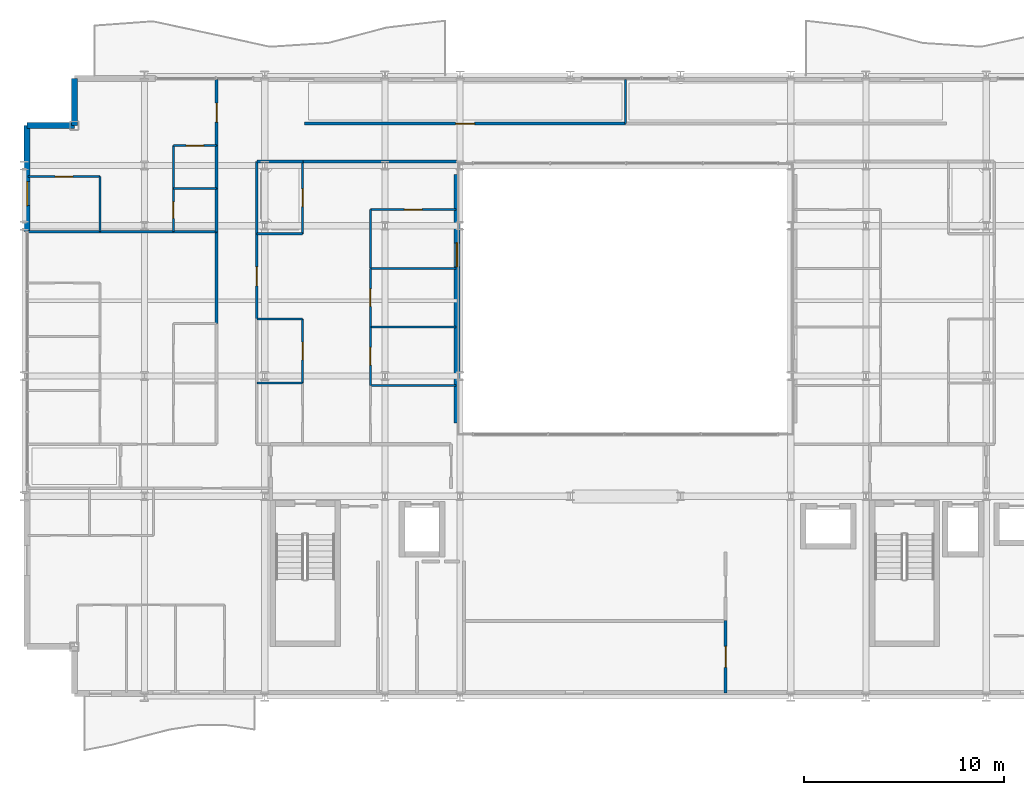
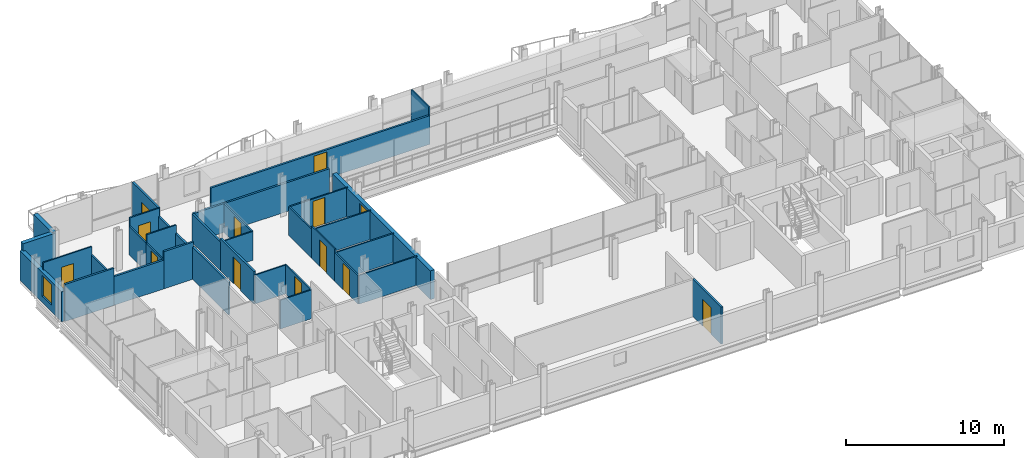
# One storey, part 33 of 41: 36 walls, 12 doors, 2 windows, 14 openings.
"""IFC4 building model written with IfcOpenShell, lengths in metres."""

from ifc_helpers import new_model, si_unit, direction, frame, frame_2d, origin, place, context, subcontext, project, spatial, rectangle, extrude, material, layer, layer_set, type_object, element, fill, save


model = new_model("IFC4")

# Units and contexts
model_context = context("Model", 3, precision=1e-05, world=origin(), true_north=direction((0.0, 1.0)))
body_context = subcontext(model_context, "Body", "Model", "MODEL_VIEW")
ifc_project = project(units=[si_unit("LENGTHUNIT", "METRE"), si_unit("AREAUNIT", "SQUARE_METRE"), si_unit("VOLUMEUNIT", "CUBIC_METRE"), si_unit("PLANEANGLEUNIT", "RADIAN"), si_unit("MASSUNIT", "GRAM", prefix="KILO")], contexts=[model_context])

# Site, building, storey
site_placement = place(None, origin())
site = spatial("IfcSite", under=ifc_project, at=site_placement, CompositionType="ELEMENT")
building_placement = place(site_placement, origin())
building = spatial("IfcBuilding", under=site, at=building_placement, Name="Brevholm Reach", CompositionType="ELEMENT")
storey_placement = place(building_placement, frame((0.0, 0.0, 74.5)))
storey = spatial("IfcBuildingStorey", under=building, at=storey_placement, Name="L21", CompositionType="ELEMENT", Elevation=74.5)

# Walls
ifc_material_1 = material(Name="Concrete C40/50", Category="concrete")
ifc_layer_1 = layer(ifc_material_1, 0.300048828125)
ifc_layer_set_1 = layer_set([ifc_layer_1], Name="Concrete C40/50")
wall_type_1 = type_object("IfcWallType", Name="WAL-EXT-300", PredefinedType="STANDARD", material=ifc_layer_set_1)
for number, where, z_axis, x_axis, name in (
    (1, (2.5, 30.85009765625, 0.0), (0.0, 0.0, 1.0), (0.0, -1.0, 0.0), "L21 Facade Wall WAL-L21-CNW1"),
    (2, (2.5, 28.5, 0.0), (0.0, 0.0, 1.0), (-1.0, 0.0, 0.0), "L21 Facade Wall WAL-L21-CNW2"),
):
    element("IfcWall", number, at=place(storey_placement, frame(where, z_axis=z_axis, x_axis=x_axis)), inside=storey, type_object=wall_type_1, Name=name, PredefinedType="STANDARD", context=body_context, shape_type="SweptSolid", body=[
        extrude(rectangle(XDim=2.35009765625, YDim=0.300048828125, at=frame_2d((1.175048828125, 0.0))), origin(), (0.0, 0.0, 1.0), 2.8701171875),
    ])

# Wall, opening, window
wall_1_placement = place(storey_placement, frame((0.14990234375, 28.5, 0.0), z_axis=(0.0, 0.0, 1.0), x_axis=(0.0, -1.0, 0.0)))
wall_1 = element("IfcWall", 3, at=wall_1_placement, inside=storey, type_object=wall_type_1, Name="L21 Facade Wall WAL-L21-W-N", PredefinedType="STANDARD", context=body_context, shape_type="SweptSolid", body=[
    extrude(rectangle(XDim=5.280029296875, YDim=0.300048828125, at=frame_2d((2.64013671875, 0.0))), origin(), (0.0, 0.0, 1.0), 2.305419921875),
])
opening_1_placement = place(wall_1_placement, frame((2.800048828125, 0.0, 0.485107421875)))
opening_1 = element("IfcOpeningElement", 4, at=opening_1_placement, cuts=wall_1, Name="Opening WN-08", PredefinedType="OPENING", context=body_context, shape_type="SweptSolid", body=[
    extrude(rectangle(XDim=1.199951171875, YDim=1.60009765625, at=frame_2d((0.60009765625, 0.800048828125))), frame((0.0, 0.159912109375, 0.0), z_axis=(0.0, -1.0, 0.0), x_axis=(1.0, 0.0, 0.0)), (0.0, 0.0, 1.0), 0.320068359375),
])
ifc_material_2 = material(Name="Dark Anodised Aluminium and Solar-Control IGU Glass", Category="aluminium")
window_type = type_object("IfcWindowType", Name="WIN-RES-1200", PartitioningType="SINGLE_PANEL", PredefinedType="WINDOW", material=ifc_material_2)
window_1_placement = place(opening_1_placement, origin())
window_1 = element("IfcWindow", 5, at=window_1_placement, inside=storey, type_object=window_type, Name="L21 Window WIN-L21-WN-1", OverallHeight=1.60009765625, OverallWidth=1.199951171875, PartitioningType="SINGLE_PANEL", PredefinedType="WINDOW", context=body_context, shape_type="SweptSolid", body=[
    extrude(rectangle(XDim=1.199951171875, YDim=1.60009765625, at=frame_2d((0.60009765625, 0.800048828125))), frame((0.0, 0.030029296875, 0.0), z_axis=(0.0, -1.0, 0.0), x_axis=(1.0, 0.0, 0.0)), (0.0, 0.0, 1.0), 0.06005859375),
])
fill(opening_1, window_1)

wall_2_placement = place(storey_placement, frame((21.60009765625, 26.050048828125, 0.0), z_axis=(0.0, 0.0, 1.0), x_axis=(0.0, -1.0, 0.0)))
wall_2 = element("IfcWall", 6, at=wall_2_placement, inside=storey, type_object=wall_type_1, Name="L21 Facade Wall WAL-L21-AT-W", PredefinedType="STANDARD", context=body_context, shape_type="SweptSolid", body=[
    extrude(rectangle(XDim=12.400146484375, YDim=0.300048828125, at=frame_2d((6.2001953125, 0.0))), origin(), (0.0, 0.0, 1.0), 2.224853515625),
])
opening_2_placement = place(wall_2_placement, frame((3.39990234375, 0.0, 0.405029296875)))
opening_2 = element("IfcOpeningElement", 7, at=opening_2_placement, cuts=wall_2, Name="Opening WN-08", PredefinedType="OPENING", context=body_context, shape_type="SweptSolid", body=[
    extrude(rectangle(XDim=1.199951171875, YDim=1.60009765625, at=frame_2d((0.60009765625, 0.800048828125))), frame((0.0, 0.159912109375, 0.0), z_axis=(0.0, -1.0, 0.0), x_axis=(1.0, 0.0, 0.0)), (0.0, 0.0, 1.0), 0.320068359375),
])
window_2_placement = place(opening_2_placement, origin())
window_2 = element("IfcWindow", 8, at=window_2_placement, inside=storey, type_object=window_type, Name="L21 Window WIN-L21-AT-W1", OverallHeight=1.60009765625, OverallWidth=1.199951171875, PartitioningType="SINGLE_PANEL", PredefinedType="WINDOW", context=body_context, shape_type="SweptSolid", body=[
    extrude(rectangle(XDim=1.199951171875, YDim=1.60009765625, at=frame_2d((0.60009765625, 0.800048828125))), frame((0.0, 0.030029296875, 0.0), z_axis=(0.0, -1.0, 0.0), x_axis=(1.0, 0.0, 0.0)), (0.0, 0.0, 1.0), 0.06005859375),
])
fill(opening_2, window_2)

# Wall
ifc_material_3 = material(Name="Moisture-Resistant Acoustic Gypsum Stud Partition 100 mm", Category="gypsum")
ifc_layer_2 = layer(ifc_material_3, 0.10009765625)
ifc_layer_set_2 = layer_set([ifc_layer_2], Name="Moisture-Resistant Acoustic Gypsum Stud Partition 100 mm")
wall_type_2 = type_object("IfcWallType", Name="WAL-PRT-100", PredefinedType="PARTITIONING", material=ifc_layer_set_2)
wall_3_placement = place(storey_placement, frame((7.43798828125, 25.35009765625, 0.0), z_axis=(0.0, 0.0, 1.0), x_axis=(1.0, 0.0, 0.0)))
element("IfcWall", 9, at=wall_3_placement, inside=storey, type_object=wall_type_2, Name="L21 Internal Partition 100", PredefinedType="PARTITIONING", context=body_context, shape_type="SweptSolid", body=[
    extrude(rectangle(XDim=2.157958984375, YDim=0.10009765625, at=frame_2d((1.0791015625, 0.0))), origin(), (0.0, 0.0, 1.0), 2.8701171875),
])

# Wall, opening, door
wall_4_placement = place(storey_placement, frame((7.43798828125, 23.2041015625, 0.0), z_axis=(0.0, 0.0, 1.0), x_axis=(0.0, 1.0, 0.0)))
wall_4 = element("IfcWall", 10, at=wall_4_placement, inside=storey, type_object=wall_type_2, Name="L21 Internal Partition 101", PredefinedType="PARTITIONING", context=body_context, shape_type="SweptSolid", body=[
    extrude(rectangle(XDim=2.14599609375, YDim=0.10009765625, at=frame_2d((1.072998046875, 0.0))), origin(), (0.0, 0.0, 1.0), 2.224853515625),
])
opening_3_placement = place(wall_4_placement, frame((0.6630859375, 0.0, 0.0)))
opening_3 = element("IfcOpeningElement", 11, at=opening_3_placement, cuts=wall_4, Name="Opening ID-03", PredefinedType="OPENING", context=body_context, shape_type="SweptSolid", body=[
    extrude(rectangle(XDim=0.820068359375, YDim=2.02001953125, at=frame_2d((0.41015625, 1.010009765625))), frame((0.0, 0.06005859375, 0.0), z_axis=(0.0, -1.0, 0.0), x_axis=(1.0, 0.0, 0.0)), (0.0, 0.0, 1.0), 0.1201171875),
])
ifc_material_4 = material(Name="Moisture-Resistant Painted Timber Internal Bathroom Door", Category="wood")
door_type_1 = type_object("IfcDoorType", Name="DOR-BATH-820", OperationType="NOTDEFINED", PredefinedType="DOOR", material=ifc_material_4)
door_1_placement = place(opening_3_placement, origin())
door_1 = element("IfcDoor", 12, at=door_1_placement, inside=storey, type_object=door_type_1, Name="L21 Internal Door 035", OperationType="SINGLE_SWING_LEFT", OverallHeight=2.02001953125, OverallWidth=0.820068359375, PredefinedType="DOOR", context=body_context, shape_type="SweptSolid", body=[
    extrude(rectangle(XDim=0.820068359375, YDim=2.02001953125, at=frame_2d((0.41015625, 1.010009765625))), frame((0.0, 0.02490234375, 0.0), z_axis=(0.0, -1.0, 0.0), x_axis=(1.0, 0.0, 0.0)), (0.0, 0.0, 1.0), 0.050048828125),
])
fill(opening_3, door_1)

wall_5_placement = place(storey_placement, frame((7.43798828125, 27.5, 0.0), z_axis=(0.0, 0.0, 1.0), x_axis=(1.0, 0.0, 0.0)))
wall_5 = element("IfcWall", 13, at=wall_5_placement, inside=storey, type_object=wall_type_2, Name="L21 Internal Partition 102", PredefinedType="PARTITIONING", context=body_context, shape_type="SweptSolid", body=[
    extrude(rectangle(XDim=2.157958984375, YDim=0.10009765625, at=frame_2d((1.0791015625, 0.0))), origin(), (0.0, 0.0, 1.0), 2.8701171875),
])
opening_4_placement = place(wall_5_placement, frame((0.638916015625, 0.0, 0.0)))
opening_4 = element("IfcOpeningElement", 14, at=opening_4_placement, cuts=wall_5, Name="Opening ID-01", PredefinedType="OPENING", context=body_context, shape_type="SweptSolid", body=[
    extrude(rectangle(XDim=0.8798828125, YDim=2.0400390625, at=frame_2d((0.43994140625, 1.02001953125))), frame((0.0, 0.06005859375, 0.0), z_axis=(0.0, -1.0, 0.0), x_axis=(1.0, 0.0, 0.0)), (0.0, 0.0, 1.0), 0.1201171875),
])
ifc_material_5 = material(Name="Lacquered Ash Solid-Core Acoustic Internal Door", Category="timber")
door_type_2 = type_object("IfcDoorType", Name="DOR-INT-880", OperationType="NOTDEFINED", PredefinedType="DOOR", material=ifc_material_5)
door_2_placement = place(opening_4_placement, origin())
door_2 = element("IfcDoor", 15, at=door_2_placement, inside=storey, type_object=door_type_2, Name="L21 Internal Door 036", OperationType="SINGLE_SWING_RIGHT", OverallHeight=2.0400390625, OverallWidth=0.8798828125, PredefinedType="DOOR", context=body_context, shape_type="SweptSolid", body=[
    extrude(rectangle(XDim=0.8798828125, YDim=2.0400390625, at=frame_2d((0.43994140625, 1.02001953125))), frame((0.0, 0.02490234375, 0.0), z_axis=(0.0, -1.0, 0.0), x_axis=(1.0, 0.0, 0.0)), (0.0, 0.0, 1.0), 0.050048828125),
])
fill(opening_4, door_2)

# Walls
wall_6_placement = place(storey_placement, frame((7.43798828125, 25.35400390625, 0.0), z_axis=(0.0, 0.0, 1.0), x_axis=(0.0, 1.0, 0.0)))
element("IfcWall", 16, at=wall_6_placement, inside=storey, type_object=wall_type_2, Name="L21 Internal Partition 103", PredefinedType="PARTITIONING", context=body_context, shape_type="SweptSolid", body=[
    extrude(rectangle(XDim=2.14599609375, YDim=0.10009765625, at=frame_2d((1.072998046875, 0.0))), origin(), (0.0, 0.0, 1.0), 2.224853515625),
])
wall_7_placement = place(storey_placement, frame((3.77197265625, 23.2041015625, 0.0), z_axis=(0.0, 0.0, 1.0), x_axis=(0.0, 1.0, 0.0)))
element("IfcWall", 17, at=wall_7_placement, inside=storey, type_object=wall_type_2, Name="L21 Internal Partition 104", PredefinedType="PARTITIONING", context=body_context, shape_type="SweptSolid", body=[
    extrude(rectangle(XDim=2.745849609375, YDim=0.10009765625, at=frame_2d((1.373046875, 0.0))), origin(), (0.0, 0.0, 1.0), 2.224853515625),
])

# Wall, opening, door
wall_8_placement = place(storey_placement, frame((0.199951171875, 25.949951171875, 0.0), z_axis=(0.0, 0.0, 1.0), x_axis=(1.0, 0.0, 0.0)))
wall_8 = element("IfcWall", 18, at=wall_8_placement, inside=storey, type_object=wall_type_2, Name="L21 Internal Partition 105", PredefinedType="PARTITIONING", context=body_context, shape_type="SweptSolid", body=[
    extrude(rectangle(XDim=3.572021484375, YDim=0.10009765625, at=frame_2d((1.7861328125, 0.0))), origin(), (0.0, 0.0, 1.0), 2.8701171875),
])
opening_5_placement = place(wall_8_placement, frame((1.345947265625, 0.0, 0.0)))
opening_5 = element("IfcOpeningElement", 19, at=opening_5_placement, cuts=wall_8, Name="Opening ID-01", PredefinedType="OPENING", context=body_context, shape_type="SweptSolid", body=[
    extrude(rectangle(XDim=0.8798828125, YDim=2.0400390625, at=frame_2d((0.43994140625, 1.02001953125))), frame((0.0, 0.06005859375, 0.0), z_axis=(0.0, -1.0, 0.0), x_axis=(1.0, 0.0, 0.0)), (0.0, 0.0, 1.0), 0.1201171875),
])
door_3_placement = place(opening_5_placement, origin())
door_3 = element("IfcDoor", 20, at=door_3_placement, inside=storey, type_object=door_type_2, Name="L21 Internal Door 037", OperationType="SINGLE_SWING_LEFT", OverallHeight=2.0400390625, OverallWidth=0.8798828125, PredefinedType="DOOR", context=body_context, shape_type="SweptSolid", body=[
    extrude(rectangle(XDim=0.8798828125, YDim=2.0400390625, at=frame_2d((0.43994140625, 1.02001953125))), frame((0.0, 0.02490234375, 0.0), z_axis=(0.0, -1.0, 0.0), x_axis=(1.0, 0.0, 0.0)), (0.0, 0.0, 1.0), 0.050048828125),
])
fill(opening_5, door_3)

# Wall
wall_9_placement = place(storey_placement, frame((11.60400390625, 15.64990234375, 0.0), z_axis=(0.0, 0.0, 1.0), x_axis=(1.0, 0.0, 0.0)))
element("IfcWall", 21, at=wall_9_placement, inside=storey, type_object=wall_type_2, Name="L21 Internal Partition 106", PredefinedType="PARTITIONING", context=body_context, shape_type="SweptSolid", body=[
    extrude(rectangle(XDim=2.284912109375, YDim=0.10009765625, at=frame_2d((1.142578125, 0.0))), origin(), (0.0, 0.0, 1.0), 2.224853515625),
])

# Wall, opening, door
wall_10_placement = place(storey_placement, frame((13.888916015625, 15.654052734375, 0.0), z_axis=(0.0, 0.0, 1.0), x_axis=(0.0, 1.0, 0.0)))
wall_10 = element("IfcWall", 22, at=wall_10_placement, inside=storey, type_object=wall_type_2, Name="L21 Internal Partition 108", PredefinedType="PARTITIONING", context=body_context, shape_type="SweptSolid", body=[
    extrude(rectangle(XDim=3.196044921875, YDim=0.10009765625, at=frame_2d((1.59814453125, 0.0))), origin(), (0.0, 0.0, 1.0), 2.224853515625),
])
opening_6_placement = place(wall_10_placement, frame((1.157958984375, 0.0, 0.0)))
opening_6 = element("IfcOpeningElement", 23, at=opening_6_placement, cuts=wall_10, Name="Opening ID-01", PredefinedType="OPENING", context=body_context, shape_type="SweptSolid", body=[
    extrude(rectangle(XDim=0.8798828125, YDim=2.0400390625, at=frame_2d((0.43994140625, 1.02001953125))), frame((0.0, 0.06005859375, 0.0), z_axis=(0.0, -1.0, 0.0), x_axis=(1.0, 0.0, 0.0)), (0.0, 0.0, 1.0), 0.1201171875),
])
door_4_placement = place(opening_6_placement, origin())
door_4 = element("IfcDoor", 24, at=door_4_placement, inside=storey, type_object=door_type_2, Name="L21 Internal Door 039", OperationType="SINGLE_SWING_LEFT", OverallHeight=2.0400390625, OverallWidth=0.8798828125, PredefinedType="DOOR", context=body_context, shape_type="SweptSolid", body=[
    extrude(rectangle(XDim=0.8798828125, YDim=2.0400390625, at=frame_2d((0.43994140625, 1.02001953125))), frame((0.0, 0.02490234375, 0.0), z_axis=(0.0, -1.0, 0.0), x_axis=(1.0, 0.0, 0.0)), (0.0, 0.0, 1.0), 0.050048828125),
])
fill(opening_6, door_4)

# Walls
for number, where, z_axis, x_axis, name in (
    (25, (11.60400390625, 18.85009765625, 0.0), (0.0, 0.0, 1.0), (1.0, 0.0, 0.0), "L21 Internal Partition 109"),
    (26, (11.60400390625, 23.10009765625, 0.0), (0.0, 0.0, 1.0), (1.0, 0.0, 0.0), "L21 Internal Partition 110"),
):
    element("IfcWall", number, at=place(storey_placement, frame(where, z_axis=z_axis, x_axis=x_axis)), inside=storey, type_object=wall_type_2, Name=name, PredefinedType="PARTITIONING", context=body_context, shape_type="SweptSolid", body=[
        extrude(rectangle(XDim=2.284912109375, YDim=0.10009765625, at=frame_2d((1.142578125, 0.0))), origin(), (0.0, 0.0, 1.0), 2.224853515625),
    ])

# Wall, opening, door
wall_11_placement = place(storey_placement, frame((13.888916015625, 23.10009765625, 0.0), z_axis=(0.0, 0.0, 1.0), x_axis=(0.0, 1.0, 0.0)))
wall_11 = element("IfcWall", 27, at=wall_11_placement, inside=storey, type_object=wall_type_2, Name="L21 Internal Partition 111", PredefinedType="PARTITIONING", context=body_context, shape_type="SweptSolid", body=[
    extrude(rectangle(XDim=3.595947265625, YDim=0.10009765625, at=frame_2d((1.7978515625, 0.0))), origin(), (0.0, 0.0, 1.0), 2.224853515625),
])
opening_7_placement = place(wall_11_placement, frame((1.35791015625, 0.0, 0.0)))
opening_7 = element("IfcOpeningElement", 28, at=opening_7_placement, cuts=wall_11, Name="Opening ID-01", PredefinedType="OPENING", context=body_context, shape_type="SweptSolid", body=[
    extrude(rectangle(XDim=0.8798828125, YDim=2.0400390625, at=frame_2d((0.43994140625, 1.02001953125))), frame((0.0, 0.06005859375, 0.0), z_axis=(0.0, -1.0, 0.0), x_axis=(1.0, 0.0, 0.0)), (0.0, 0.0, 1.0), 0.1201171875),
])
door_5_placement = place(opening_7_placement, origin())
door_5 = element("IfcDoor", 29, at=door_5_placement, inside=storey, type_object=door_type_2, Name="L21 Internal Door 040", OperationType="SINGLE_SWING_RIGHT", OverallHeight=2.0400390625, OverallWidth=0.8798828125, PredefinedType="DOOR", context=body_context, shape_type="SweptSolid", body=[
    extrude(rectangle(XDim=0.8798828125, YDim=2.0400390625, at=frame_2d((0.43994140625, 1.02001953125))), frame((0.0, 0.02490234375, 0.0), z_axis=(0.0, -1.0, 0.0), x_axis=(1.0, 0.0, 0.0)), (0.0, 0.0, 1.0), 0.050048828125),
])
fill(opening_7, door_5)

# Walls
for number, where, z_axis, x_axis, name in (
    (30, (17.27099609375, 15.52490234375, 0.0), (0.0, 0.0, 1.0), (1.0, 0.0, 0.0), "L21 Internal Partition 112"),
    (31, (17.27099609375, 18.449951171875, 0.0), (0.0, 0.0, 1.0), (1.0, 0.0, 0.0), "L21 Internal Partition 114"),
):
    element("IfcWall", number, at=place(storey_placement, frame(where, z_axis=z_axis, x_axis=x_axis)), inside=storey, type_object=wall_type_2, Name=name, PredefinedType="PARTITIONING", context=body_context, shape_type="SweptSolid", body=[
        extrude(rectangle(XDim=4.279052734375, YDim=0.10009765625, at=frame_2d((2.1396484375, 0.0))), origin(), (0.0, 0.0, 1.0), 2.224853515625),
    ])

# Wall, opening, door
wall_12_placement = place(storey_placement, frame((17.27099609375, 15.529052734375, 0.0), z_axis=(0.0, 0.0, 1.0), x_axis=(0.0, 1.0, 0.0)))
wall_12 = element("IfcWall", 32, at=wall_12_placement, inside=storey, type_object=wall_type_2, Name="L21 Internal Partition 115", PredefinedType="PARTITIONING", context=body_context, shape_type="SweptSolid", body=[
    extrude(rectangle(XDim=2.9208984375, YDim=0.10009765625, at=frame_2d((1.46044921875, 0.0))), origin(), (0.0, 0.0, 1.0), 2.224853515625),
])
opening_8_placement = place(wall_12_placement, frame((1.0205078125, 0.0, 0.0)))
opening_8 = element("IfcOpeningElement", 33, at=opening_8_placement, cuts=wall_12, Name="Opening ID-01", PredefinedType="OPENING", context=body_context, shape_type="SweptSolid", body=[
    extrude(rectangle(XDim=0.8798828125, YDim=2.0400390625, at=frame_2d((0.43994140625, 1.02001953125))), frame((0.0, 0.06005859375, 0.0), z_axis=(0.0, -1.0, 0.0), x_axis=(1.0, 0.0, 0.0)), (0.0, 0.0, 1.0), 0.1201171875),
])
door_6_placement = place(opening_8_placement, origin())
door_6 = element("IfcDoor", 34, at=door_6_placement, inside=storey, type_object=door_type_2, Name="L21 Internal Door 042", OperationType="SINGLE_SWING_RIGHT", OverallHeight=2.0400390625, OverallWidth=0.8798828125, PredefinedType="DOOR", context=body_context, shape_type="SweptSolid", body=[
    extrude(rectangle(XDim=0.8798828125, YDim=2.0400390625, at=frame_2d((0.43994140625, 1.02001953125))), frame((0.0, 0.02490234375, 0.0), z_axis=(0.0, -1.0, 0.0), x_axis=(1.0, 0.0, 0.0)), (0.0, 0.0, 1.0), 0.050048828125),
])
fill(opening_8, door_6)

# Wall
wall_13_placement = place(storey_placement, frame((17.27099609375, 21.375, 0.0), z_axis=(0.0, 0.0, 1.0), x_axis=(1.0, 0.0, 0.0)))
element("IfcWall", 35, at=wall_13_placement, inside=storey, type_object=wall_type_2, Name="L21 Internal Partition 116", PredefinedType="PARTITIONING", context=body_context, shape_type="SweptSolid", body=[
    extrude(rectangle(XDim=4.279052734375, YDim=0.10009765625, at=frame_2d((2.1396484375, 0.0))), origin(), (0.0, 0.0, 1.0), 2.224853515625),
])

# Wall, opening, door
wall_14_placement = place(storey_placement, frame((17.27099609375, 18.4541015625, 0.0), z_axis=(0.0, 0.0, 1.0), x_axis=(0.0, 1.0, 0.0)))
wall_14 = element("IfcWall", 36, at=wall_14_placement, inside=storey, type_object=wall_type_2, Name="L21 Internal Partition 117", PredefinedType="PARTITIONING", context=body_context, shape_type="SweptSolid", body=[
    extrude(rectangle(XDim=2.9208984375, YDim=0.10009765625, at=frame_2d((1.46044921875, 0.0))), origin(), (0.0, 0.0, 1.0), 2.489990234375),
])
opening_9_placement = place(wall_14_placement, frame((1.0205078125, 0.0, 0.0)))
opening_9 = element("IfcOpeningElement", 37, at=opening_9_placement, cuts=wall_14, Name="Opening ID-01", PredefinedType="OPENING", context=body_context, shape_type="SweptSolid", body=[
    extrude(rectangle(XDim=0.8798828125, YDim=2.0400390625, at=frame_2d((0.43994140625, 1.02001953125))), frame((0.0, 0.06005859375, 0.0), z_axis=(0.0, -1.0, 0.0), x_axis=(1.0, 0.0, 0.0)), (0.0, 0.0, 1.0), 0.1201171875),
])
door_7_placement = place(opening_9_placement, origin())
door_7 = element("IfcDoor", 38, at=door_7_placement, inside=storey, type_object=door_type_2, Name="L21 Internal Door 043", OperationType="SINGLE_SWING_LEFT", OverallHeight=2.0400390625, OverallWidth=0.8798828125, PredefinedType="DOOR", context=body_context, shape_type="SweptSolid", body=[
    extrude(rectangle(XDim=0.8798828125, YDim=2.0400390625, at=frame_2d((0.43994140625, 1.02001953125))), frame((0.0, 0.02490234375, 0.0), z_axis=(0.0, -1.0, 0.0), x_axis=(1.0, 0.0, 0.0)), (0.0, 0.0, 1.0), 0.050048828125),
])
fill(opening_9, door_7)

wall_15_placement = place(storey_placement, frame((17.27099609375, 24.300048828125, 0.0), z_axis=(0.0, 0.0, 1.0), x_axis=(1.0, 0.0, 0.0)))
wall_15 = element("IfcWall", 39, at=wall_15_placement, inside=storey, type_object=wall_type_2, Name="L21 Internal Partition 118", PredefinedType="PARTITIONING", context=body_context, shape_type="SweptSolid", body=[
    extrude(rectangle(XDim=4.279052734375, YDim=0.10009765625, at=frame_2d((2.1396484375, 0.0))), origin(), (0.0, 0.0, 1.0), 2.224853515625),
])
opening_10_placement = place(wall_15_placement, frame((1.699462890625, 0.0, 0.0)))
opening_10 = element("IfcOpeningElement", 40, at=opening_10_placement, cuts=wall_15, Name="Opening ID-01", PredefinedType="OPENING", context=body_context, shape_type="SweptSolid", body=[
    extrude(rectangle(XDim=0.8798828125, YDim=2.0400390625, at=frame_2d((0.43994140625, 1.02001953125))), frame((0.0, 0.06005859375, 0.0), z_axis=(0.0, -1.0, 0.0), x_axis=(1.0, 0.0, 0.0)), (0.0, 0.0, 1.0), 0.1201171875),
])
door_8_placement = place(opening_10_placement, origin())
door_8 = element("IfcDoor", 41, at=door_8_placement, inside=storey, type_object=door_type_2, Name="L21 Internal Door 044", OperationType="SINGLE_SWING_RIGHT", OverallHeight=2.0400390625, OverallWidth=0.8798828125, PredefinedType="DOOR", context=body_context, shape_type="SweptSolid", body=[
    extrude(rectangle(XDim=0.8798828125, YDim=2.0400390625, at=frame_2d((0.43994140625, 1.02001953125))), frame((0.0, 0.02490234375, 0.0), z_axis=(0.0, -1.0, 0.0), x_axis=(1.0, 0.0, 0.0)), (0.0, 0.0, 1.0), 0.050048828125),
])
fill(opening_10, door_8)

# Walls
wall_16_placement = place(storey_placement, frame((17.27099609375, 21.37890625, 0.0), z_axis=(0.0, 0.0, 1.0), x_axis=(0.0, 1.0, 0.0)))
element("IfcWall", 42, at=wall_16_placement, inside=storey, type_object=wall_type_2, Name="L21 Internal Partition 119", PredefinedType="PARTITIONING", context=body_context, shape_type="SweptSolid", body=[
    extrude(rectangle(XDim=2.921142578125, YDim=0.10009765625, at=frame_2d((1.46044921875, 0.0))), origin(), (0.0, 0.0, 1.0), 2.224853515625),
])
wall_17_placement = place(storey_placement, frame((30.0, 28.60400390625, 0.0), z_axis=(0.0, 0.0, 1.0), x_axis=(0.0, 1.0, 0.0)))
element("IfcWall", 43, at=wall_17_placement, inside=storey, type_object=wall_type_2, Name="L21 Internal Partition 153", PredefinedType="PARTITIONING", context=body_context, shape_type="SweptSolid", body=[
    extrude(rectangle(XDim=2.196044921875, YDim=0.10009765625, at=frame_2d((1.09814453125, 0.0))), origin(), (0.0, 0.0, 1.0), 2.8701171875),
])

# Wall, opening, door
ifc_material_6 = material(Name="Twin-Stud Acoustic Fire-Rated Gypsum Partition 140 mm", Category="gypsum")
ifc_layer_3 = layer(ifc_material_6, 0.139892578125)
ifc_layer_set_3 = layer_set([ifc_layer_3], Name="Twin-Stud Acoustic Fire-Rated Gypsum Partition 140 mm")
wall_type_3 = type_object("IfcWallType", Name="WAL-PRT-140", PredefinedType="PARTITIONING", material=ifc_layer_set_3)
wall_18_placement = place(storey_placement, frame((35.0, 0.179931640625, 0.0), z_axis=(0.0, 0.0, 1.0), x_axis=(0.0, 1.0, 0.0)))
wall_18 = element("IfcWall", 44, at=wall_18_placement, inside=storey, type_object=wall_type_3, Name="L21 Internal Partition 001", PredefinedType="PARTITIONING", context=body_context, shape_type="SweptSolid", body=[
    extrude(rectangle(XDim=3.611328125, YDim=0.139892578125, at=frame_2d((1.8056640625, 0.0))), origin(), (0.0, 0.0, 1.0), 2.8701171875),
])
opening_11_placement = place(wall_18_placement, frame((1.28076171875, 0.0, 0.0)))
opening_11 = element("IfcOpeningElement", 45, at=opening_11_placement, cuts=wall_18, Name="Opening FD-01", PredefinedType="OPENING", context=body_context, shape_type="SweptSolid", body=[
    extrude(rectangle(XDim=1.050048828125, YDim=2.06005859375, at=frame_2d((0.52490234375, 1.030029296875))), frame((0.0, 0.079833984375, 0.0), z_axis=(0.0, -1.0, 0.0), x_axis=(1.0, 0.0, 0.0)), (0.0, 0.0, 1.0), 0.159912109375),
])
ifc_material_7 = material(Name="Hardwood-Lipped Steel-Core Fire and Smoke Door", Category="steel")
door_type_3 = type_object("IfcDoorType", Name="DOR-INT-FD60S", OperationType="NOTDEFINED", PredefinedType="DOOR", material=ifc_material_7)
door_9_placement = place(opening_11_placement, origin())
door_9 = element("IfcDoor", 46, at=door_9_placement, inside=storey, type_object=door_type_3, Name="L21 Internal Door 001", OperationType="SINGLE_SWING_LEFT", OverallHeight=2.06005859375, OverallWidth=1.050048828125, PredefinedType="DOOR", context=body_context, shape_type="SweptSolid", body=[
    extrude(rectangle(XDim=1.050048828125, YDim=2.06005859375, at=frame_2d((0.52490234375, 1.030029296875))), frame((0.0, 0.02490234375, 0.0), z_axis=(0.0, -1.0, 0.0), x_axis=(1.0, 0.0, 0.0)), (0.0, 0.0, 1.0), 0.050048828125),
])
fill(opening_11, door_9)

# Walls
wall_19_placement = place(storey_placement, frame((9.60009765625, 18.610595703125, 0.0), z_axis=(0.0, 0.0, 1.0), x_axis=(0.0, 1.0, 0.0)))
element("IfcWall", 47, at=wall_19_placement, inside=storey, type_object=wall_type_3, Name="L21 Internal Partition 036", PredefinedType="PARTITIONING", context=body_context, shape_type="SweptSolid", body=[
    extrude(rectangle(XDim=4.6005859375, YDim=0.139892578125, at=frame_2d((2.30029296875, 0.0))), origin(), (0.0, 0.0, 1.0), 2.489990234375),
])
wall_20_placement = place(storey_placement, frame((9.60009765625, 23.192626953125, 0.0), z_axis=(0.0, 0.0, 1.0), x_axis=(0.0, 1.0, 0.0)))
element("IfcWall", 48, at=wall_20_placement, inside=storey, type_object=wall_type_3, Name="L21 Internal Partition 037", PredefinedType="PARTITIONING", context=body_context, shape_type="SweptSolid", body=[
    extrude(rectangle(XDim=2.168701171875, YDim=0.139892578125, at=frame_2d((1.08447265625, 0.0))), origin(), (0.0, 0.0, 1.0), 2.224853515625),
])
wall_21_placement = place(storey_placement, frame((9.60009765625, 25.3427734375, 0.0), z_axis=(0.0, 0.0, 1.0), x_axis=(0.0, 1.0, 0.0)))
element("IfcWall", 49, at=wall_21_placement, inside=storey, type_object=wall_type_3, Name="L21 Internal Partition 038", PredefinedType="PARTITIONING", context=body_context, shape_type="SweptSolid", body=[
    extrude(rectangle(XDim=2.16845703125, YDim=0.139892578125, at=frame_2d((1.084228515625, 0.0))), origin(), (0.0, 0.0, 1.0), 2.224853515625),
])

# Wall, opening, door
wall_22_placement = place(storey_placement, frame((9.60009765625, 27.49267578125, 0.0), z_axis=(0.0, 0.0, 1.0), x_axis=(0.0, 1.0, 0.0)))
wall_22 = element("IfcWall", 50, at=wall_22_placement, inside=storey, type_object=wall_type_3, Name="L21 Internal Partition 039", PredefinedType="PARTITIONING", context=body_context, shape_type="SweptSolid", body=[
    extrude(rectangle(XDim=3.307373046875, YDim=0.139892578125, at=frame_2d((1.65380859375, 0.0))), origin(), (0.0, 0.0, 1.0), 2.8701171875),
])
opening_12_placement = place(wall_22_placement, frame((1.1787109375, 0.0, 0.0)))
opening_12 = element("IfcOpeningElement", 51, at=opening_12_placement, cuts=wall_22, Name="Opening ID-30", PredefinedType="OPENING", context=body_context, shape_type="SweptSolid", body=[
    extrude(rectangle(XDim=0.949951171875, YDim=2.050048828125, at=frame_2d((0.47509765625, 1.02490234375))), frame((0.0, 0.079833984375, 0.0), z_axis=(0.0, -1.0, 0.0), x_axis=(1.0, 0.0, 0.0)), (0.0, 0.0, 1.0), 0.159912109375),
])
ifc_material_8 = material(Name="European Oak Veneered Solid-Core Fire Entrance Door", Category="timber")
door_type_4 = type_object("IfcDoorType", Name="DOR-FLT-FD30S", OperationType="NOTDEFINED", PredefinedType="DOOR", material=ifc_material_8)
door_10_placement = place(opening_12_placement, origin())
door_10 = element("IfcDoor", 52, at=door_10_placement, inside=storey, type_object=door_type_4, Name="L21 Internal Door 015", OperationType="SINGLE_SWING_LEFT", OverallHeight=2.050048828125, OverallWidth=0.949951171875, PredefinedType="DOOR", context=body_context, shape_type="SweptSolid", body=[
    extrude(rectangle(XDim=0.949951171875, YDim=2.050048828125, at=frame_2d((0.47509765625, 1.02490234375))), frame((0.0, 0.02490234375, 0.0), z_axis=(0.0, -1.0, 0.0), x_axis=(1.0, 0.0, 0.0)), (0.0, 0.0, 1.0), 0.050048828125),
])
fill(opening_12, door_10)

# Wall
wall_23_placement = place(storey_placement, frame((11.60009765625, 23.088623046875, 0.0), z_axis=(0.0, 0.0, 1.0), x_axis=(0.0, 1.0, 0.0)))
element("IfcWall", 53, at=wall_23_placement, inside=storey, type_object=wall_type_3, Name="L21 Internal Partition 042", PredefinedType="PARTITIONING", context=body_context, shape_type="SweptSolid", body=[
    extrude(rectangle(XDim=3.61865234375, YDim=0.139892578125, at=frame_2d((1.809326171875, 0.0))), origin(), (0.0, 0.0, 1.0), 2.224853515625),
])

# Wall, opening, door
wall_24_placement = place(storey_placement, frame((11.60009765625, 18.8427734375, 0.0), z_axis=(0.0, 0.0, 1.0), x_axis=(0.0, 1.0, 0.0)))
wall_24 = element("IfcWall", 54, at=wall_24_placement, inside=storey, type_object=wall_type_3, Name="L21 Internal Partition 043", PredefinedType="PARTITIONING", context=body_context, shape_type="SweptSolid", body=[
    extrude(rectangle(XDim=4.2646484375, YDim=0.139892578125, at=frame_2d((2.13232421875, 0.0))), origin(), (0.0, 0.0, 1.0), 2.489990234375),
])
opening_13_placement = place(wall_24_placement, frame((1.6572265625, 0.0, 0.0)))
opening_13 = element("IfcOpeningElement", 55, at=opening_13_placement, cuts=wall_24, Name="Opening ID-30", PredefinedType="OPENING", context=body_context, shape_type="SweptSolid", body=[
    extrude(rectangle(XDim=0.949951171875, YDim=2.050048828125, at=frame_2d((0.47509765625, 1.02490234375))), frame((0.0, 0.079833984375, 0.0), z_axis=(0.0, -1.0, 0.0), x_axis=(1.0, 0.0, 0.0)), (0.0, 0.0, 1.0), 0.159912109375),
])
door_11_placement = place(opening_13_placement, origin())
door_11 = element("IfcDoor", 56, at=door_11_placement, inside=storey, type_object=door_type_4, Name="L21 Internal Door 016", OperationType="SINGLE_SWING_RIGHT", OverallHeight=2.050048828125, OverallWidth=0.949951171875, PredefinedType="DOOR", context=body_context, shape_type="SweptSolid", body=[
    extrude(rectangle(XDim=0.949951171875, YDim=2.050048828125, at=frame_2d((0.47509765625, 1.02490234375))), frame((0.0, 0.02490234375, 0.0), z_axis=(0.0, -1.0, 0.0), x_axis=(1.0, 0.0, 0.0)), (0.0, 0.0, 1.0), 0.050048828125),
])
fill(opening_13, door_11)

# Walls
wall_25_placement = place(storey_placement, frame((11.60400390625, 26.699951171875, 0.0), z_axis=(0.0, 0.0, 1.0), x_axis=(1.0, 0.0, 0.0)))
element("IfcWall", 57, at=wall_25_placement, inside=storey, type_object=wall_type_3, Name="L21 Internal Partition 054", PredefinedType="PARTITIONING", context=body_context, shape_type="SweptSolid", body=[
    extrude(rectangle(XDim=2.29638671875, YDim=0.139892578125, at=frame_2d((1.148193359375, 0.0))), origin(), (0.0, 0.0, 1.0), 2.224853515625),
])
wall_26_placement = place(storey_placement, frame((13.881591796875, 26.699951171875, 0.0), z_axis=(0.0, 0.0, 1.0), x_axis=(1.0, 0.0, 0.0)))
element("IfcWall", 58, at=wall_26_placement, inside=storey, type_object=wall_type_3, Name="L21 Internal Partition 055", PredefinedType="PARTITIONING", context=body_context, shape_type="SweptSolid", body=[
    extrude(rectangle(XDim=7.6796875, YDim=0.139892578125, at=frame_2d((3.83984375, 0.0))), origin(), (0.0, 0.0, 1.0), 2.224853515625),
])

# Wall, opening, door
wall_27_placement = place(storey_placement, frame((13.98876953125, 28.60009765625, 0.0), z_axis=(0.0, 0.0, 1.0), x_axis=(1.0, 0.0, 0.0)))
wall_27 = element("IfcWall", 59, at=wall_27_placement, inside=storey, type_object=wall_type_3, Name="L21 Internal Partition 058", PredefinedType="PARTITIONING", context=body_context, shape_type="SweptSolid", body=[
    extrude(rectangle(XDim=16.0224609375, YDim=0.139892578125, at=frame_2d((8.01123046875, 0.0))), origin(), (0.0, 0.0, 1.0), 2.224853515625),
])
opening_14_placement = place(wall_27_placement, frame((7.536376953125, 0.0, 0.0)))
opening_14 = element("IfcOpeningElement", 60, at=opening_14_placement, cuts=wall_27, Name="Opening ID-30", PredefinedType="OPENING", context=body_context, shape_type="SweptSolid", body=[
    extrude(rectangle(XDim=0.949951171875, YDim=2.050048828125, at=frame_2d((0.47509765625, 1.02490234375))), frame((0.0, 0.079833984375, 0.0), z_axis=(0.0, -1.0, 0.0), x_axis=(1.0, 0.0, 0.0)), (0.0, 0.0, 1.0), 0.159912109375),
])
door_12_placement = place(opening_14_placement, origin())
door_12 = element("IfcDoor", 61, at=door_12_placement, inside=storey, type_object=door_type_4, Name="L21 Internal Door 019", OperationType="SINGLE_SWING_LEFT", OverallHeight=2.050048828125, OverallWidth=0.949951171875, PredefinedType="DOOR", context=body_context, shape_type="SweptSolid", body=[
    extrude(rectangle(XDim=0.949951171875, YDim=2.050048828125, at=frame_2d((0.47509765625, 1.02490234375))), frame((0.0, 0.02490234375, 0.0), z_axis=(0.0, -1.0, 0.0), x_axis=(1.0, 0.0, 0.0)), (0.0, 0.0, 1.0), 0.050048828125),
])
fill(opening_14, door_12)

# Walls
wall_28_placement = place(storey_placement, frame((7.4267578125, 23.199951171875, 0.0), z_axis=(0.0, 0.0, 1.0), x_axis=(1.0, 0.0, 0.0)))
element("IfcWall", 62, at=wall_28_placement, inside=storey, type_object=wall_type_3, Name="L21 Internal Partition 097", PredefinedType="PARTITIONING", context=body_context, shape_type="SweptSolid", body=[
    extrude(rectangle(XDim=2.169189453125, YDim=0.139892578125, at=frame_2d((1.08447265625, 0.0))), origin(), (0.0, 0.0, 1.0), 2.8701171875),
])
wall_29_placement = place(storey_placement, frame((0.199951171875, 23.199951171875, 0.0), z_axis=(0.0, 0.0, 1.0), x_axis=(1.0, 0.0, 0.0)))
element("IfcWall", 63, at=wall_29_placement, inside=storey, type_object=wall_type_3, Name="L21 Internal Partition 098", PredefinedType="PARTITIONING", context=body_context, shape_type="SweptSolid", body=[
    extrude(rectangle(XDim=3.583251953125, YDim=0.139892578125, at=frame_2d((1.79150390625, 0.0))), origin(), (0.0, 0.0, 1.0), 2.8701171875),
])
wall_30_placement = place(storey_placement, frame((3.7646484375, 23.199951171875, 0.0), z_axis=(0.0, 0.0, 1.0), x_axis=(1.0, 0.0, 0.0)))
element("IfcWall", 64, at=wall_30_placement, inside=storey, type_object=wall_type_3, Name="L21 Internal Partition 099", PredefinedType="PARTITIONING", context=body_context, shape_type="SweptSolid", body=[
    extrude(rectangle(XDim=3.6806640625, YDim=0.139892578125, at=frame_2d((1.84033203125, 0.0))), origin(), (0.0, 0.0, 1.0), 2.224853515625),
])

save(model, "model.ifc")
